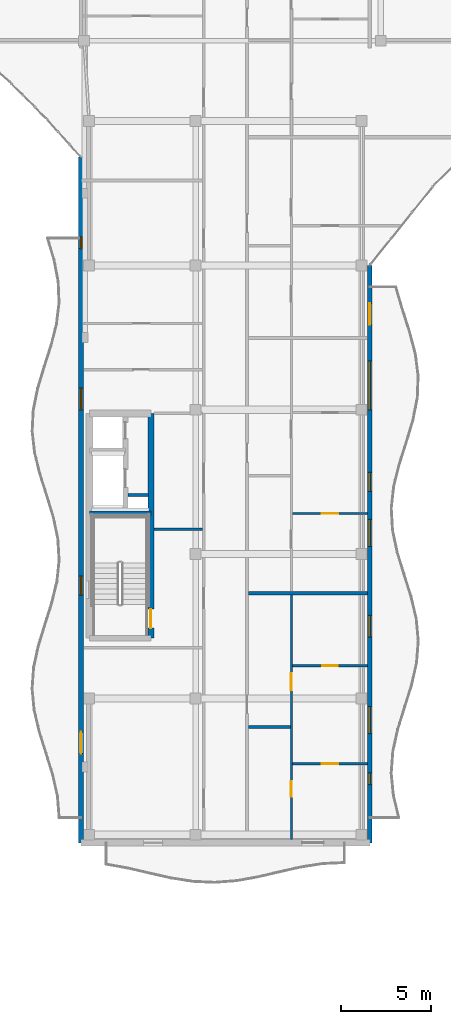
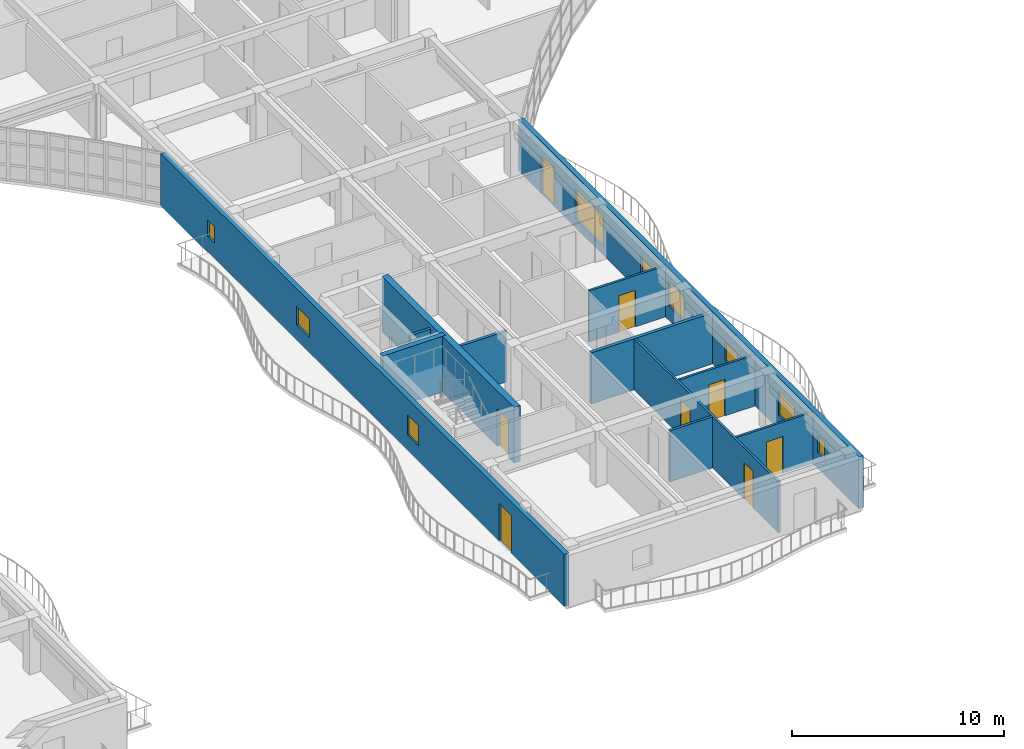
# One storey, part 37 of 79: 12 walls, 9 windows, 8 doors, 17 openings.
"""IFC4 building model written with IfcOpenShell, lengths in metres."""

from ifc_helpers import new_model, si_unit, direction, frame, frame_2d, origin, place, context, subcontext, project, spatial, rectangle, extrude, material, layer, layer_set, type_object, element, fill, save


model = new_model("IFC4")

# Units and contexts
model_context = context("Model", 3, precision=1e-05, world=origin(), true_north=direction((0.0, 1.0)))
body_context = subcontext(model_context, "Body", "Model", "MODEL_VIEW")
ifc_project = project(units=[si_unit("LENGTHUNIT", "METRE"), si_unit("AREAUNIT", "SQUARE_METRE"), si_unit("VOLUMEUNIT", "CUBIC_METRE"), si_unit("PLANEANGLEUNIT", "RADIAN"), si_unit("MASSUNIT", "GRAM", prefix="KILO")], contexts=[model_context])

# Site, building, storey
site_placement = place(None, origin())
site = spatial("IfcSite", under=ifc_project, at=site_placement, CompositionType="ELEMENT")
building_placement = place(site_placement, origin())
building = spatial("IfcBuilding", under=site, at=building_placement, Name="Keldmere Railside Commons", CompositionType="ELEMENT")
storey_placement = place(building_placement, frame((0.0, 0.0, 10.56005859375)))
storey = spatial("IfcBuildingStorey", under=building, at=storey_placement, Name="L03", CompositionType="ELEMENT", Elevation=10.56005859375)

# Wall
ifc_material_1 = material(Name="Acoustic Gypsum Board Partition", Category="gypsum")
ifc_layer_1 = layer(ifc_material_1, 0.179931640625, Name="Acoustic Demising Partition 180")
ifc_layer_set_1 = layer_set([ifc_layer_1], Name="Acoustic Gypsum Board Partition")
wall_type_1 = type_object("IfcWallType", Name="Acoustic Demising Partition 180", PredefinedType="PARTITIONING", material=ifc_layer_set_1)
wall_1_placement = place(storey_placement, frame((57.280029296875, 69.830078125, 0.0), z_axis=(0.0, 0.0, 1.0), x_axis=(1.0, 0.0, 0.0)))
element("IfcWall", 1, at=wall_1_placement, inside=storey, type_object=wall_type_1, Name="IW-1 IW-L03-0604", PredefinedType="PARTITIONING", context=body_context, shape_type="SweptSolid", body=[
    extrude(rectangle(XDim=6.590087890625, YDim=0.179931640625, at=frame_2d((3.294921875, 0.0))), origin(), (0.0, 0.0, 1.0), 2.93505859375),
])

# Wall, openings, doors
ifc_layer_2 = layer(ifc_material_1, 0.1201171875, Name="Apartment Interior Partition 120")
ifc_layer_set_2 = layer_set([ifc_layer_2], Name="Acoustic Gypsum Board Partition")
wall_type_2 = type_object("IfcWallType", Name="Apartment Interior Partition 120", PredefinedType="PARTITIONING", material=ifc_layer_set_2)
wall_2_placement = place(storey_placement, frame((59.659912109375, 56.179931640625, 0.0), z_axis=(0.0, 0.0, 1.0), x_axis=(0.0, 1.0, 0.0)))
wall_2 = element("IfcWall", 2, at=wall_2_placement, inside=storey, type_object=wall_type_2, Name="IW-4 IW-L03-0607", PredefinedType="PARTITIONING", context=body_context, shape_type="SweptSolid", body=[
    extrude(rectangle(XDim=13.56005859375, YDim=0.1201171875, at=frame_2d((6.780029296875, 0.0))), origin(), (0.0, 0.0, 1.0), 2.93505859375),
])
opening_1_placement = place(wall_2_placement, frame((2.37109375, 0.0, 0.0)))
opening_1 = element("IfcOpeningElement", 3, at=opening_1_placement, cuts=wall_2, Name="Opening ID-04", PredefinedType="OPENING", context=body_context, shape_type="SweptSolid", body=[
    extrude(rectangle(XDim=0.860107421875, YDim=2.10009765625, at=frame_2d((0.43017578125, 1.050048828125))), frame((0.0, 0.070068359375, 0.0), z_axis=(0.0, -1.0, 0.0), x_axis=(1.0, 0.0, 0.0)), (0.0, 0.0, 1.0), 0.14013671875),
])
opening_2_placement = place(wall_2_placement, frame((8.28955078125, 0.0, 0.0)))
opening_2 = element("IfcOpeningElement", 4, at=opening_2_placement, cuts=wall_2, Name="Opening ID-03", PredefinedType="OPENING", context=body_context, shape_type="SweptSolid", body=[
    extrude(rectangle(XDim=0.919921875, YDim=2.10009765625, at=frame_2d((0.4599609375, 1.050048828125))), frame((0.0, 0.070068359375, 0.0), z_axis=(0.0, -1.0, 0.0), x_axis=(1.0, 0.0, 0.0)), (0.0, 0.0, 1.0), 0.14013671875),
])
ifc_material_2 = material(Name="Engineered Oak Timber", Category="wood")
door_type_1 = type_object("IfcDoorType", Name="Apartment Bathroom Door 860x2100", OperationType="NOTDEFINED", PredefinedType="DOOR", material=ifc_material_2)
door_1_placement = place(opening_1_placement, origin())
door_1 = element("IfcDoor", 5, at=door_1_placement, inside=storey, type_object=door_type_1, Name="ID-04 IDR-L03-0492", OperationType="SINGLE_SWING_RIGHT", OverallHeight=2.10009765625, OverallWidth=0.860107421875, PredefinedType="DOOR", context=body_context, shape_type="SweptSolid", body=[
    extrude(rectangle(XDim=0.860107421875, YDim=2.10009765625, at=frame_2d((0.43017578125, 1.050048828125))), frame((0.0, 0.02490234375, 0.0), z_axis=(0.0, -1.0, 0.0), x_axis=(1.0, 0.0, 0.0)), (0.0, 0.0, 1.0), 0.050048828125),
])
fill(opening_1, door_1)
door_type_2 = type_object("IfcDoorType", Name="Kitchen Pocket-Frame Swing Door 920x2100", OperationType="NOTDEFINED", PredefinedType="DOOR", material=ifc_material_2)
door_2_placement = place(opening_2_placement, origin())
door_2 = element("IfcDoor", 6, at=door_2_placement, inside=storey, type_object=door_type_2, Name="ID-03 IDR-L03-0493", OperationType="SINGLE_SWING_LEFT", OverallHeight=2.10009765625, OverallWidth=0.919921875, PredefinedType="DOOR", context=body_context, shape_type="SweptSolid", body=[
    extrude(rectangle(XDim=0.919921875, YDim=2.10009765625, at=frame_2d((0.4599609375, 1.050048828125))), frame((0.0, 0.02490234375, 0.0), z_axis=(0.0, -1.0, 0.0), x_axis=(1.0, 0.0, 0.0)), (0.0, 0.0, 1.0), 0.050048828125),
])
fill(opening_2, door_2)

# Wall, opening, door
wall_3_placement = place(storey_placement, frame((59.719970703125, 60.3798828125, 0.0), z_axis=(0.0, 0.0, 1.0), x_axis=(1.0, 0.0, 0.0)))
wall_3 = element("IfcWall", 7, at=wall_3_placement, inside=storey, type_object=wall_type_2, Name="IW-4 IW-L03-0609", PredefinedType="PARTITIONING", context=body_context, shape_type="SweptSolid", body=[
    extrude(rectangle(XDim=4.150146484375, YDim=0.1201171875, at=frame_2d((2.0751953125, 0.0))), origin(), (0.0, 0.0, 1.0), 2.93505859375),
])
opening_3_placement = place(wall_3_placement, frame((1.625, 0.0, 0.0)))
opening_3 = element("IfcOpeningElement", 8, at=opening_3_placement, cuts=wall_3, Name="Opening ID-01", PredefinedType="OPENING", context=body_context, shape_type="SweptSolid", body=[
    extrude(rectangle(XDim=0.89990234375, YDim=2.10009765625, at=frame_2d((0.449951171875, 1.050048828125))), frame((0.0, 0.070068359375, 0.0), z_axis=(0.0, -1.0, 0.0), x_axis=(1.0, 0.0, 0.0)), (0.0, 0.0, 1.0), 0.14013671875),
])
door_type_3 = type_object("IfcDoorType", Name="Primary Bedroom Door 900x2100", OperationType="NOTDEFINED", PredefinedType="DOOR", material=ifc_material_2)
door_3_placement = place(opening_3_placement, origin())
door_3 = element("IfcDoor", 9, at=door_3_placement, inside=storey, type_object=door_type_3, Name="ID-01 IDR-L03-0495", OperationType="SINGLE_SWING_LEFT", OverallHeight=2.10009765625, OverallWidth=0.89990234375, PredefinedType="DOOR", context=body_context, shape_type="SweptSolid", body=[
    extrude(rectangle(XDim=0.89990234375, YDim=2.10009765625, at=frame_2d((0.449951171875, 1.050048828125))), frame((0.0, 0.02490234375, 0.0), z_axis=(0.0, -1.0, 0.0), x_axis=(1.0, 0.0, 0.0)), (0.0, 0.0, 1.0), 0.050048828125),
])
fill(opening_3, door_3)

wall_4_placement = place(storey_placement, frame((59.719970703125, 65.81005859375, 0.0), z_axis=(0.0, 0.0, 1.0), x_axis=(1.0, 0.0, 0.0)))
wall_4 = element("IfcWall", 10, at=wall_4_placement, inside=storey, type_object=wall_type_2, Name="IW-4 IW-L03-0610", PredefinedType="PARTITIONING", context=body_context, shape_type="SweptSolid", body=[
    extrude(rectangle(XDim=4.150146484375, YDim=0.1201171875, at=frame_2d((2.0751953125, 0.0))), origin(), (0.0, 0.0, 1.0), 2.93505859375),
])
opening_4_placement = place(wall_4_placement, frame((1.635009765625, 0.0, 0.0)))
opening_4 = element("IfcOpeningElement", 11, at=opening_4_placement, cuts=wall_4, Name="Opening ID-02", PredefinedType="OPENING", context=body_context, shape_type="SweptSolid", body=[
    extrude(rectangle(XDim=0.8798828125, YDim=2.10009765625, at=frame_2d((0.43994140625, 1.050048828125))), frame((0.0, 0.070068359375, 0.0), z_axis=(0.0, -1.0, 0.0), x_axis=(1.0, 0.0, 0.0)), (0.0, 0.0, 1.0), 0.14013671875),
])
door_type_4 = type_object("IfcDoorType", Name="Secondary Bedroom Door 880x2100", OperationType="NOTDEFINED", PredefinedType="DOOR", material=ifc_material_2)
door_4_placement = place(opening_4_placement, origin())
door_4 = element("IfcDoor", 12, at=door_4_placement, inside=storey, type_object=door_type_4, Name="ID-02 IDR-L03-0496", OperationType="SINGLE_SWING_RIGHT", OverallHeight=2.10009765625, OverallWidth=0.8798828125, PredefinedType="DOOR", context=body_context, shape_type="SweptSolid", body=[
    extrude(rectangle(XDim=0.8798828125, YDim=2.10009765625, at=frame_2d((0.43994140625, 1.050048828125))), frame((0.0, 0.02490234375, 0.0), z_axis=(0.0, -1.0, 0.0), x_axis=(1.0, 0.0, 0.0)), (0.0, 0.0, 1.0), 0.050048828125),
])
fill(opening_4, door_4)

wall_5_placement = place(storey_placement, frame((59.719970703125, 74.25, 0.0), z_axis=(0.0, 0.0, 1.0), x_axis=(1.0, 0.0, 0.0)))
wall_5 = element("IfcWall", 13, at=wall_5_placement, inside=storey, type_object=wall_type_2, Name="IW-4 IW-L03-0613", PredefinedType="PARTITIONING", context=body_context, shape_type="SweptSolid", body=[
    extrude(rectangle(XDim=4.150146484375, YDim=0.1201171875, at=frame_2d((2.0751953125, 0.0))), origin(), (0.0, 0.0, 1.0), 2.93505859375),
])
opening_5_placement = place(wall_5_placement, frame((1.625, 0.0, 0.0)))
opening_5 = element("IfcOpeningElement", 14, at=opening_5_placement, cuts=wall_5, Name="Opening ID-01", PredefinedType="OPENING", context=body_context, shape_type="SweptSolid", body=[
    extrude(rectangle(XDim=0.89990234375, YDim=2.10009765625, at=frame_2d((0.449951171875, 1.050048828125))), frame((0.0, 0.070068359375, 0.0), z_axis=(0.0, -1.0, 0.0), x_axis=(1.0, 0.0, 0.0)), (0.0, 0.0, 1.0), 0.14013671875),
])
door_5_placement = place(opening_5_placement, origin())
door_5 = element("IfcDoor", 15, at=door_5_placement, inside=storey, type_object=door_type_3, Name="ID-01 IDR-L03-0500", OperationType="SINGLE_SWING_RIGHT", OverallHeight=2.10009765625, OverallWidth=0.89990234375, PredefinedType="DOOR", context=body_context, shape_type="SweptSolid", body=[
    extrude(rectangle(XDim=0.89990234375, YDim=2.10009765625, at=frame_2d((0.449951171875, 1.050048828125))), frame((0.0, 0.02490234375, 0.0), z_axis=(0.0, -1.0, 0.0), x_axis=(1.0, 0.0, 0.0)), (0.0, 0.0, 1.0), 0.050048828125),
])
fill(opening_5, door_5)

# Wall
ifc_material_3 = material(Name="Concrete H-35 (C35/45)", Category="concrete")
ifc_layer_3 = layer(ifc_material_3, 0.280029296875, Name="Core Shear Wall 280")
ifc_layer_set_3 = layer_set([ifc_layer_3], Name="Concrete H-35 (C35/45)")
wall_type_3 = type_object("IfcWallType", Name="Core Shear Wall 280", PredefinedType="SHEAR", material=ifc_layer_set_3)
wall_6_placement = place(storey_placement, frame((48.4599609375, 74.239990234375, 0.0), z_axis=(0.0, 0.0, 1.0), x_axis=(1.0, 0.0, 0.0)))
element("IfcWall", 16, at=wall_6_placement, inside=storey, type_object=wall_type_3, Name="CSW-2 CORECM-L03-0238", PredefinedType="SHEAR", context=body_context, shape_type="SweptSolid", body=[
    extrude(rectangle(XDim=3.41015625, YDim=0.280029296875, at=frame_2d((1.705078125, 0.0))), origin(), (0.0, 0.0, 1.0), 3.199951171875),
])

# Wall, opening, door
ifc_layer_4 = layer(ifc_material_3, 0.340087890625, Name="Interior Shear Wall 340")
ifc_layer_set_4 = layer_set([ifc_layer_4], Name="Concrete H-35 (C35/45)")
wall_type_4 = type_object("IfcWallType", Name="Interior Shear Wall 340", PredefinedType="SHEAR", material=ifc_layer_set_4)
wall_7_placement = place(storey_placement, frame((51.8701171875, 79.800048828125, 0.0), z_axis=(0.0, 0.0, 1.0), x_axis=(0.0, -1.0, 0.0)))
wall_7 = element("IfcWall", 17, at=wall_7_placement, inside=storey, type_object=wall_type_4, Name="ISW-1 CORECE-L03-0236", PredefinedType="SHEAR", context=body_context, shape_type="SweptSolid", body=[
    extrude(rectangle(XDim=12.449951171875, YDim=0.340087890625, at=frame_2d((6.22509765625, 0.0))), origin(), (0.0, 0.0, 1.0), 3.199951171875),
])
opening_6_placement = place(wall_7_placement, frame((10.85009765625, 0.0, 0.0)))
opening_6 = element("IfcOpeningElement", 18, at=opening_6_placement, cuts=wall_7, Name="Opening FD-1", PredefinedType="OPENING", context=body_context, shape_type="SweptSolid", body=[
    extrude(rectangle(XDim=1.050048828125, YDim=2.14990234375, at=frame_2d((0.52490234375, 1.074951171875))), frame((0.0, 0.179931640625, 0.0), z_axis=(0.0, -1.0, 0.0), x_axis=(1.0, 0.0, 0.0)), (0.0, 0.0, 1.0), 0.360107421875),
])
ifc_material_4 = material(Name="Steel F-24 (S235)", Category="steel")
door_type_5 = type_object("IfcDoorType", Name="Stair Core Fire Door 1050x2150", OperationType="NOTDEFINED", PredefinedType="DOOR", material=ifc_material_4)
door_6_placement = place(opening_6_placement, origin())
door_6 = element("IfcDoor", 19, at=door_6_placement, inside=storey, type_object=door_type_5, Name="FD-1 C1 L03", OperationType="SINGLE_SWING_LEFT", OverallHeight=2.14990234375, OverallWidth=1.050048828125, PredefinedType="DOOR", context=body_context, shape_type="SweptSolid", body=[
    extrude(rectangle(XDim=1.050048828125, YDim=2.14990234375, at=frame_2d((0.52490234375, 1.074951171875))), frame((0.0, 0.02490234375, 0.0), z_axis=(0.0, -1.0, 0.0), x_axis=(1.0, 0.0, 0.0)), (0.0, 0.0, 1.0), 0.050048828125),
])
fill(opening_6, door_6)

# Walls
ifc_layer_5 = layer(ifc_material_1, 0.14990234375, Name="Lobby Rated Partition 150")
ifc_layer_set_5 = layer_set([ifc_layer_5], Name="Acoustic Gypsum Board Partition")
wall_type_5 = type_object("IfcWallType", Name="Lobby Rated Partition 150", PredefinedType="PARTITIONING", material=ifc_layer_set_5)
wall_8_placement = place(storey_placement, frame((50.60009765625, 75.280029296875, 0.0), z_axis=(0.0, 0.0, 1.0), x_axis=(1.0, 0.0, 0.0)))
element("IfcWall", 20, at=wall_8_placement, inside=storey, type_object=wall_type_5, Name="IW-3 RSRNC-L03-0241", PredefinedType="PARTITIONING", context=body_context, shape_type="SweptSolid", body=[
    extrude(rectangle(XDim=1.1298828125, YDim=0.14990234375, at=frame_2d((0.56494140625, 0.0))), origin(), (0.0, 0.0, 1.0), 2.949951171875),
])
wall_9_placement = place(storey_placement, frame((52.0400390625, 73.3798828125, 0.0), z_axis=(0.0, 0.0, 1.0), x_axis=(1.0, 0.0, 0.0)))
element("IfcWall", 21, at=wall_9_placement, inside=storey, type_object=wall_type_5, Name="IW-3 IW-L03-0593", PredefinedType="PARTITIONING", context=body_context, shape_type="SweptSolid", body=[
    extrude(rectangle(XDim=2.679931640625, YDim=0.14990234375, at=frame_2d((1.33984375, 0.0))), origin(), (0.0, 0.0, 1.0), 2.93505859375),
])

# Wall, openings, windows, door
ifc_material_5 = material(Name="Terracotta Brick Masonry", Category="masonry")
ifc_layer_6 = layer(ifc_material_5, 0.260009765625, Name="Terracotta Cavity Wall 260")
ifc_layer_set_6 = layer_set([ifc_layer_6], Name="Terracotta Brick Masonry")
wall_type_6 = type_object("IfcWallType", Name="Terracotta Cavity Wall 260", PredefinedType="SOLIDWALL", material=ifc_layer_set_6)
wall_10_placement = place(storey_placement, frame((64.0, 88.0, 0.0), z_axis=(0.0, 0.0, 1.0), x_axis=(0.0, -1.0, 0.0)))
wall_10 = element("IfcWall", 22, at=wall_10_placement, inside=storey, type_object=wall_type_6, Name="EW-1 EXTC-L03-0345", PredefinedType="SOLIDWALL", context=body_context, shape_type="SweptSolid", body=[
    extrude(rectangle(XDim=32.0, YDim=0.260009765625, at=frame_2d((16.0, 0.0))), origin(), (0.0, 0.0, 1.0), 2.97998046875),
])
opening_7_placement = place(wall_10_placement, frame((2.10009765625, 0.0, 0.0)))
opening_7 = element("IfcOpeningElement", 23, at=opening_7_placement, cuts=wall_10, Name="Opening BD-01", PredefinedType="OPENING", context=body_context, shape_type="SweptSolid", body=[
    extrude(rectangle(XDim=1.199951171875, YDim=2.199951171875, at=frame_2d((0.60009765625, 1.10009765625))), frame((0.0, 0.139892578125, 0.0), z_axis=(0.0, -1.0, 0.0), x_axis=(1.0, 0.0, 0.0)), (0.0, 0.0, 1.0), 0.280029296875),
])
opening_8_placement = place(wall_10_placement, frame((5.300048828125, 0.0, 0.469970703125)))
opening_8 = element("IfcOpeningElement", 24, at=opening_8_placement, cuts=wall_10, Name="Opening WN-19", PredefinedType="OPENING", context=body_context, shape_type="SweptSolid", body=[
    extrude(rectangle(XDim=2.699951171875, YDim=1.75, at=frame_2d((1.35009765625, 0.875))), frame((0.0, 0.139892578125, 0.0), z_axis=(0.0, -1.0, 0.0), x_axis=(1.0, 0.0, 0.0)), (0.0, 0.0, 1.0), 0.280029296875),
])
opening_9_placement = place(wall_10_placement, frame((11.47509765625, 0.0, 0.89990234375)))
opening_9 = element("IfcOpeningElement", 25, at=opening_9_placement, cuts=wall_10, Name="Opening WN-13", PredefinedType="OPENING", context=body_context, shape_type="SweptSolid", body=[
    extrude(rectangle(XDim=1.050048828125, YDim=1.14990234375, at=frame_2d((0.52490234375, 0.574951171875))), frame((0.0, 0.139892578125, 0.0), z_axis=(0.0, -1.0, 0.0), x_axis=(1.0, 0.0, 0.0)), (0.0, 0.0, 1.0), 0.280029296875),
])
opening_10_placement = place(wall_10_placement, frame((19.39990234375, 0.0, 0.89990234375)))
opening_10 = element("IfcOpeningElement", 26, at=opening_10_placement, cuts=wall_10, Name="Opening WN-14", PredefinedType="OPENING", context=body_context, shape_type="SweptSolid", body=[
    extrude(rectangle(XDim=1.199951171875, YDim=1.050048828125, at=frame_2d((0.60009765625, 0.52490234375))), frame((0.0, 0.139892578125, 0.0), z_axis=(0.0, -1.0, 0.0), x_axis=(1.0, 0.0, 0.0)), (0.0, 0.0, 1.0), 0.280029296875),
])
opening_11_placement = place(wall_10_placement, frame((28.125, 0.0, 0.89990234375)))
opening_11 = element("IfcOpeningElement", 27, at=opening_11_placement, cuts=wall_10, Name="Opening WN-15", PredefinedType="OPENING", context=body_context, shape_type="SweptSolid", body=[
    extrude(rectangle(XDim=0.64990234375, YDim=0.949951171875, at=frame_2d((0.324951171875, 0.47509765625))), frame((0.0, 0.139892578125, 0.0), z_axis=(0.0, -1.0, 0.0), x_axis=(1.0, 0.0, 0.0)), (0.0, 0.0, 1.0), 0.280029296875),
])
opening_12_placement = place(wall_10_placement, frame((24.44580078125, 0.0, 0.820068359375)))
opening_12 = element("IfcOpeningElement", 28, at=opening_12_placement, cuts=wall_10, Name="Opening WN-06", PredefinedType="OPENING", context=body_context, shape_type="SweptSolid", body=[
    extrude(rectangle(XDim=1.5, YDim=1.39990234375, at=frame_2d((0.75, 0.699951171875))), frame((0.0, 0.139892578125, 0.0), z_axis=(0.0, -1.0, 0.0), x_axis=(1.0, 0.0, 0.0)), (0.0, 0.0, 1.0), 0.280029296875),
])
opening_13_placement = place(wall_10_placement, frame((14.07177734375, 0.0, 0.820068359375)))
opening_13 = element("IfcOpeningElement", 29, at=opening_13_placement, cuts=wall_10, Name="Opening WN-06", PredefinedType="OPENING", context=body_context, shape_type="SweptSolid", body=[
    extrude(rectangle(XDim=1.5, YDim=1.39990234375, at=frame_2d((0.75, 0.699951171875))), frame((0.0, 0.139892578125, 0.0), z_axis=(0.0, -1.0, 0.0), x_axis=(1.0, 0.0, 0.0)), (0.0, 0.0, 1.0), 0.280029296875),
])
ifc_material_6 = material(Name="Low-E Insulated Double Glazing", Category="glass")
window_type_1 = type_object("IfcWindowType", Name="Apartment Kitchen Casement Window 1050x1150", PartitioningType="SINGLE_PANEL", PredefinedType="WINDOW", material=ifc_material_6)
window_1_placement = place(opening_9_placement, origin())
window_1 = element("IfcWindow", 30, at=window_1_placement, inside=storey, type_object=window_type_1, Name="WN-13 WIN-L03-0213", OverallHeight=1.14990234375, OverallWidth=1.050048828125, PartitioningType="SINGLE_PANEL", PredefinedType="WINDOW", context=body_context, shape_type="SweptSolid", body=[
    extrude(rectangle(XDim=1.050048828125, YDim=1.14990234375, at=frame_2d((0.52490234375, 0.574951171875))), frame((0.0, 0.030029296875, 0.0), z_axis=(0.0, -1.0, 0.0), x_axis=(1.0, 0.0, 0.0)), (0.0, 0.0, 1.0), 0.06005859375),
])
fill(opening_9, window_1)
window_type_2 = type_object("IfcWindowType", Name="Apartment Kitchen Ribbon Window 1200x1050", PartitioningType="SINGLE_PANEL", PredefinedType="WINDOW", material=ifc_material_6)
window_2_placement = place(opening_10_placement, origin())
window_2 = element("IfcWindow", 31, at=window_2_placement, inside=storey, type_object=window_type_2, Name="WN-14 WIN-L03-0214", OverallHeight=1.050048828125, OverallWidth=1.199951171875, PartitioningType="SINGLE_PANEL", PredefinedType="WINDOW", context=body_context, shape_type="SweptSolid", body=[
    extrude(rectangle(XDim=1.199951171875, YDim=1.050048828125, at=frame_2d((0.60009765625, 0.52490234375))), frame((0.0, 0.030029296875, 0.0), z_axis=(0.0, -1.0, 0.0), x_axis=(1.0, 0.0, 0.0)), (0.0, 0.0, 1.0), 0.06005859375),
])
fill(opening_10, window_2)
ifc_material_7 = material(Name="Thermally Broken Aluminium", Category="aluminium")
door_type_6 = type_object("IfcDoorType", Name="Apartment Living Wave-Balcony Glazed Door 1200x2200", OperationType="NOTDEFINED", PredefinedType="DOOR", material=ifc_material_7)
door_7_placement = place(opening_7_placement, origin())
door_7 = element("IfcDoor", 32, at=door_7_placement, inside=storey, type_object=door_type_6, Name="BD-01 DR-L03-0070", OperationType="SINGLE_SWING_RIGHT", OverallHeight=2.199951171875, OverallWidth=1.199951171875, PredefinedType="DOOR", context=body_context, shape_type="SweptSolid", body=[
    extrude(rectangle(XDim=1.199951171875, YDim=2.199951171875, at=frame_2d((0.60009765625, 1.10009765625))), frame((0.0, 0.02490234375, 0.0), z_axis=(0.0, -1.0, 0.0), x_axis=(1.0, 0.0, 0.0)), (0.0, 0.0, 1.0), 0.050048828125),
])
fill(opening_7, door_7)
window_type_3 = type_object("IfcWindowType", Name="Exterior Bathroom Frosted Window 650x950", PartitioningType="SINGLE_PANEL", PredefinedType="WINDOW", material=ifc_material_6)
window_3_placement = place(opening_11_placement, origin())
window_3 = element("IfcWindow", 33, at=window_3_placement, inside=storey, type_object=window_type_3, Name="WN-15 WIN-L03-0215", OverallHeight=0.949951171875, OverallWidth=0.64990234375, PartitioningType="SINGLE_PANEL", PredefinedType="WINDOW", context=body_context, shape_type="SweptSolid", body=[
    extrude(rectangle(XDim=0.64990234375, YDim=0.949951171875, at=frame_2d((0.324951171875, 0.47509765625))), frame((0.0, 0.030029296875, 0.0), z_axis=(0.0, -1.0, 0.0), x_axis=(1.0, 0.0, 0.0)), (0.0, 0.0, 1.0), 0.06005859375),
])
fill(opening_11, window_3)
window_type_4 = type_object("IfcWindowType", Name="Primary Bedroom North Window 1500x1400", PartitioningType="SINGLE_PANEL", PredefinedType="WINDOW", material=ifc_material_6)
window_4_placement = place(opening_12_placement, origin())
window_4 = element("IfcWindow", 34, at=window_4_placement, inside=storey, type_object=window_type_4, Name="WN-06 WIN-L03-9020", OverallHeight=1.39990234375, OverallWidth=1.5, PartitioningType="SINGLE_PANEL", PredefinedType="WINDOW", context=body_context, shape_type="SweptSolid", body=[
    extrude(rectangle(XDim=1.5, YDim=1.39990234375, at=frame_2d((0.75, 0.699951171875))), frame((0.0, 0.030029296875, 0.0), z_axis=(0.0, -1.0, 0.0), x_axis=(1.0, 0.0, 0.0)), (0.0, 0.0, 1.0), 0.06005859375),
])
fill(opening_12, window_4)
window_5_placement = place(opening_13_placement, origin())
window_5 = element("IfcWindow", 35, at=window_5_placement, inside=storey, type_object=window_type_4, Name="WN-06 WIN-L03-9021", OverallHeight=1.39990234375, OverallWidth=1.5, PartitioningType="SINGLE_PANEL", PredefinedType="WINDOW", context=body_context, shape_type="SweptSolid", body=[
    extrude(rectangle(XDim=1.5, YDim=1.39990234375, at=frame_2d((0.75, 0.699951171875))), frame((0.0, 0.030029296875, 0.0), z_axis=(0.0, -1.0, 0.0), x_axis=(1.0, 0.0, 0.0)), (0.0, 0.0, 1.0), 0.06005859375),
])
fill(opening_13, window_5)
window_type_5 = type_object("IfcWindowType", Name="Resident Lounge Panorama Window 2700x1750", PartitioningType="SINGLE_PANEL", PredefinedType="WINDOW", material=ifc_material_6)
window_6_placement = place(opening_8_placement, origin())
window_6 = element("IfcWindow", 36, at=window_6_placement, inside=storey, type_object=window_type_5, Name="WN-19 WIN-L03-0212", OverallHeight=1.75, OverallWidth=2.699951171875, PartitioningType="SINGLE_PANEL", PredefinedType="WINDOW", context=body_context, shape_type="SweptSolid", body=[
    extrude(rectangle(XDim=2.699951171875, YDim=1.75, at=frame_2d((1.35009765625, 0.875))), frame((0.0, 0.030029296875, 0.0), z_axis=(0.0, -1.0, 0.0), x_axis=(1.0, 0.0, 0.0)), (0.0, 0.0, 1.0), 0.06005859375),
])
fill(opening_8, window_6)

wall_11_placement = place(storey_placement, frame((48.0, 56.0, 0.0), z_axis=(0.0, 0.0, 1.0), x_axis=(0.0, 1.0, 0.0)))
wall_11 = element("IfcWall", 37, at=wall_11_placement, inside=storey, type_object=wall_type_6, Name="EW-1 EXTC-L03-0351", PredefinedType="SOLIDWALL", context=body_context, shape_type="SweptSolid", body=[
    extrude(rectangle(XDim=38.0, YDim=0.260009765625, at=frame_2d((19.0, 0.0))), origin(), (0.0, 0.0, 1.0), 2.97998046875),
])
opening_14_placement = place(wall_11_placement, frame((4.949951171875, 0.0, 0.0)))
opening_14 = element("IfcOpeningElement", 38, at=opening_14_placement, cuts=wall_11, Name="Opening BD-01", PredefinedType="OPENING", context=body_context, shape_type="SweptSolid", body=[
    extrude(rectangle(XDim=1.199951171875, YDim=2.199951171875, at=frame_2d((0.60009765625, 1.10009765625))), frame((0.0, 0.139892578125, 0.0), z_axis=(0.0, -1.0, 0.0), x_axis=(1.0, 0.0, 0.0)), (0.0, 0.0, 1.0), 0.280029296875),
])
opening_15_placement = place(wall_11_placement, frame((13.72509765625, 0.0, 0.89990234375)))
opening_15 = element("IfcOpeningElement", 39, at=opening_15_placement, cuts=wall_11, Name="Opening WN-13", PredefinedType="OPENING", context=body_context, shape_type="SweptSolid", body=[
    extrude(rectangle(XDim=1.050048828125, YDim=1.14990234375, at=frame_2d((0.52490234375, 0.574951171875))), frame((0.0, 0.139892578125, 0.0), z_axis=(0.0, -1.0, 0.0), x_axis=(1.0, 0.0, 0.0)), (0.0, 0.0, 1.0), 0.280029296875),
])
opening_16_placement = place(wall_11_placement, frame((24.0, 0.0, 0.89990234375)))
opening_16 = element("IfcOpeningElement", 40, at=opening_16_placement, cuts=wall_11, Name="Opening WN-14", PredefinedType="OPENING", context=body_context, shape_type="SweptSolid", body=[
    extrude(rectangle(XDim=1.199951171875, YDim=1.050048828125, at=frame_2d((0.60009765625, 0.52490234375))), frame((0.0, 0.139892578125, 0.0), z_axis=(0.0, -1.0, 0.0), x_axis=(1.0, 0.0, 0.0)), (0.0, 0.0, 1.0), 0.280029296875),
])
opening_17_placement = place(wall_11_placement, frame((32.925048828125, 0.0, 0.89990234375)))
opening_17 = element("IfcOpeningElement", 41, at=opening_17_placement, cuts=wall_11, Name="Opening WN-15", PredefinedType="OPENING", context=body_context, shape_type="SweptSolid", body=[
    extrude(rectangle(XDim=0.64990234375, YDim=0.949951171875, at=frame_2d((0.324951171875, 0.47509765625))), frame((0.0, 0.139892578125, 0.0), z_axis=(0.0, -1.0, 0.0), x_axis=(1.0, 0.0, 0.0)), (0.0, 0.0, 1.0), 0.280029296875),
])
window_7_placement = place(opening_15_placement, origin())
window_7 = element("IfcWindow", 42, at=window_7_placement, inside=storey, type_object=window_type_1, Name="WN-13 WIN-L03-0225", OverallHeight=1.14990234375, OverallWidth=1.050048828125, PartitioningType="SINGLE_PANEL", PredefinedType="WINDOW", context=body_context, shape_type="SweptSolid", body=[
    extrude(rectangle(XDim=1.050048828125, YDim=1.14990234375, at=frame_2d((0.52490234375, 0.574951171875))), frame((0.0, 0.030029296875, 0.0), z_axis=(0.0, -1.0, 0.0), x_axis=(1.0, 0.0, 0.0)), (0.0, 0.0, 1.0), 0.06005859375),
])
fill(opening_15, window_7)
window_8_placement = place(opening_16_placement, origin())
window_8 = element("IfcWindow", 43, at=window_8_placement, inside=storey, type_object=window_type_2, Name="WN-14 WIN-L03-0226", OverallHeight=1.050048828125, OverallWidth=1.199951171875, PartitioningType="SINGLE_PANEL", PredefinedType="WINDOW", context=body_context, shape_type="SweptSolid", body=[
    extrude(rectangle(XDim=1.199951171875, YDim=1.050048828125, at=frame_2d((0.60009765625, 0.52490234375))), frame((0.0, 0.030029296875, 0.0), z_axis=(0.0, -1.0, 0.0), x_axis=(1.0, 0.0, 0.0)), (0.0, 0.0, 1.0), 0.06005859375),
])
fill(opening_16, window_8)
door_8_placement = place(opening_14_placement, origin())
door_8 = element("IfcDoor", 44, at=door_8_placement, inside=storey, type_object=door_type_6, Name="BD-01 DR-L03-0076", OperationType="SINGLE_SWING_RIGHT", OverallHeight=2.199951171875, OverallWidth=1.199951171875, PredefinedType="DOOR", context=body_context, shape_type="SweptSolid", body=[
    extrude(rectangle(XDim=1.199951171875, YDim=2.199951171875, at=frame_2d((0.60009765625, 1.10009765625))), frame((0.0, 0.02490234375, 0.0), z_axis=(0.0, -1.0, 0.0), x_axis=(1.0, 0.0, 0.0)), (0.0, 0.0, 1.0), 0.050048828125),
])
fill(opening_14, door_8)
window_9_placement = place(opening_17_placement, origin())
window_9 = element("IfcWindow", 45, at=window_9_placement, inside=storey, type_object=window_type_3, Name="WN-15 WIN-L03-0227", OverallHeight=0.949951171875, OverallWidth=0.64990234375, PartitioningType="SINGLE_PANEL", PredefinedType="WINDOW", context=body_context, shape_type="SweptSolid", body=[
    extrude(rectangle(XDim=0.64990234375, YDim=0.949951171875, at=frame_2d((0.324951171875, 0.47509765625))), frame((0.0, 0.030029296875, 0.0), z_axis=(0.0, -1.0, 0.0), x_axis=(1.0, 0.0, 0.0)), (0.0, 0.0, 1.0), 0.06005859375),
])
fill(opening_17, window_9)

# Wall
ifc_layer_7 = layer(ifc_material_1, 0.139892578125, Name="Wet-Room Sanitary Partition 140")
ifc_layer_set_7 = layer_set([ifc_layer_7], Name="Acoustic Gypsum Board Partition")
wall_type_7 = type_object("IfcWallType", Name="Wet-Room Sanitary Partition 140", PredefinedType="PARTITIONING", material=ifc_layer_set_7)
wall_12_placement = place(storey_placement, frame((57.280029296875, 62.419921875, 0.0), z_axis=(0.0, 0.0, 1.0), x_axis=(1.0, 0.0, 0.0)))
element("IfcWall", 46, at=wall_12_placement, inside=storey, type_object=wall_type_7, Name="IW-5 IW-L03-0608", PredefinedType="PARTITIONING", context=body_context, shape_type="SweptSolid", body=[
    extrude(rectangle(XDim=2.320068359375, YDim=0.139892578125, at=frame_2d((1.16015625, 0.0))), origin(), (0.0, 0.0, 1.0), 2.93505859375),
])

save(model, "model.ifc")
